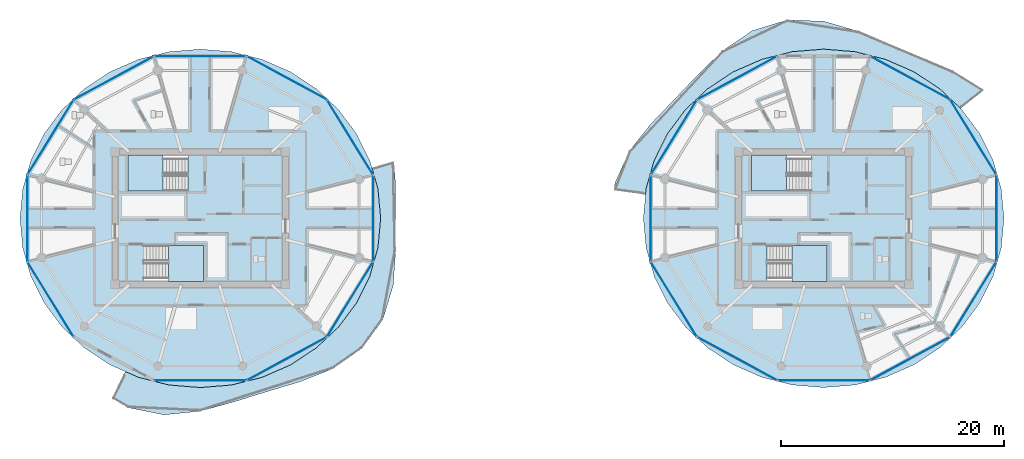
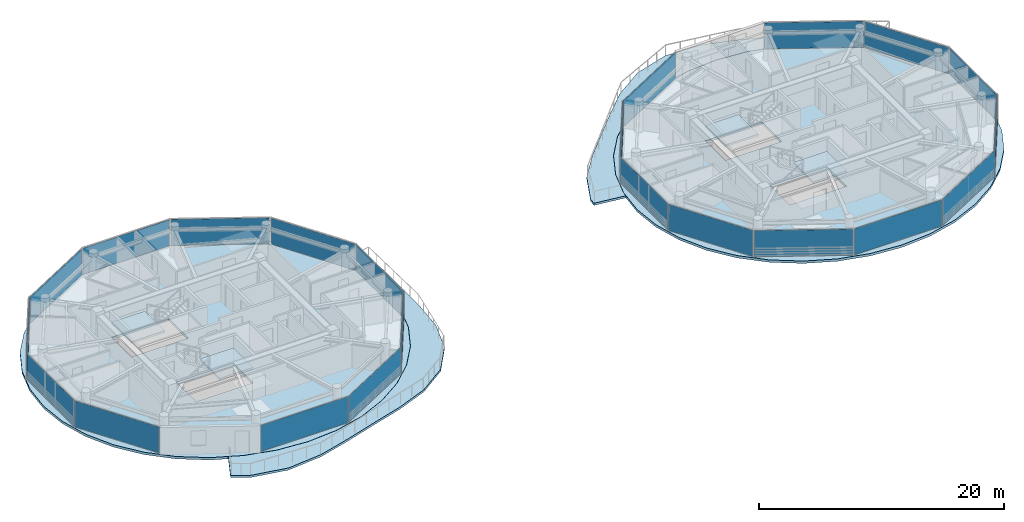
# One storey, part 8 of 21: 22 plates, 8 slabs, 26 elements without a shape of their own.
"""IFC4 building model written with IfcOpenShell, lengths in metres."""

from ifc_helpers import new_model, si_unit, direction, frame, origin, origin_2d, place, context, subcontext, project, spatial, polyline, rectangle, outline, extrude, source, transform, mapped, material, layer, layer_set, type_object, type_shapes, element, aggregate, save


model = new_model("IFC4")

# Units and contexts
model_context = context("Model", 3, precision=1e-05, world=origin(), true_north=direction((0.0, 1.0)))
body_context = subcontext(model_context, "Body", "Model", "MODEL_VIEW")
ifc_project = project(units=[si_unit("LENGTHUNIT", "METRE"), si_unit("AREAUNIT", "SQUARE_METRE"), si_unit("VOLUMEUNIT", "CUBIC_METRE"), si_unit("PLANEANGLEUNIT", "RADIAN"), si_unit("MASSUNIT", "GRAM", prefix="KILO")], contexts=[model_context])

# Site, building, storey
site_placement = place(None, origin())
site = spatial("IfcSite", under=ifc_project, at=site_placement, CompositionType="ELEMENT")
building_placement = place(site_placement, origin())
building = spatial("IfcBuilding", under=site, at=building_placement, Name="Norrkilde Senior Care Towers", CompositionType="ELEMENT")
storey_placement = place(building_placement, frame((0.0, 0.0, 241.35009765625)))
storey = spatial("IfcBuildingStorey", under=building, at=storey_placement, Name="L75", CompositionType="ELEMENT", Elevation=241.35009765625)

# Slabs
ifc_material_1 = material(Name="Concrete C50/60", Category="concrete")
ifc_layer_1 = layer(ifc_material_1, 0.215087890625)
ifc_layer_set_1 = layer_set([ifc_layer_1], Name="Concrete C50/60")
slab_type_1 = type_object("IfcSlabType", Name="Sinusoidal Balcony Ribbon Slab 215", PredefinedType="FLOOR", material=ifc_layer_set_1)
slab_1_placement = place(storey_placement, frame((0.0, 0.0, -0.215087890625)))
element("IfcSlab", 1, at=slab_1_placement, inside=storey, type_object=slab_type_1, Name="L75 Drum W Swirling Senior Balcony 1", PredefinedType="FLOOR", context=body_context, shape_type="SweptSolid", body=[
    extrude(outline(polyline([(-11.5888671875, -9.0654296875), (-13.463134765625, -11.67236328125), (-16.1083984375, -13.521728515625), (-19.072509765625, -14.69140625), (-22.019287109375, -15.572021484375), (-24.93701171875, -16.479736328125), (-28.0, -17.324951171875), (-31.2568359375, -17.6513671875), (-34.47412109375, -17.0166015625), (-35.90283203125, -16.1845703125), (-34.724365234375, -13.77099609375), (-33.54248046875, -14.2880859375), (-30.81396484375, -14.97412109375), (-28.0, -15.205078125), (-25.18603515625, -14.97412109375), (-22.45751953125, -14.2880859375), (-19.8974609375, -13.16796875), (-17.583740234375, -11.647705078125), (-15.586181640625, -9.773681640625), (-13.966064453125, -7.6025390625), (-12.772216796875, -5.200439453125), (-12.041259765625, -2.640380859375), (-11.794921875, 0.0), (-12.041259765625, 2.640380859375), (-12.573486328125, 4.50390625), (-10.6025390625, 5.079345703125), (-10.447265625, 2.93994140625), (-10.449951171875, 0.0), (-10.447265625, -2.93994140625), (-10.67041015625, -6.015869140625), (-11.5888671875, -9.0654296875)])), origin(), (0.0, 0.0, 1.0), 0.215087890625),
])
slab_2_placement = place(storey_placement, frame((0.0, 0.0, -0.215087890625)))
element("IfcSlab", 2, at=slab_2_placement, inside=storey, type_object=slab_type_1, Name="L75 Drum E Swirling Senior Balcony 1", PredefinedType="FLOOR", context=body_context, shape_type="SweptSolid", body=[
    extrude(outline(polyline([(10.548583984375, 6.06298828125), (12.490478515625, 8.510498046875), (14.574951171875, 10.67822265625), (16.6396484375, 12.84716796875), (18.887939453125, 15.031982421875), (21.58056640625, 16.856201171875), (24.715576171875, 17.818603515625), (28.0, 17.71240234375), (31.11669921875, 16.803955078125), (33.9921875, 15.605224609375), (36.79248046875, 14.44189453125), (39.64453125, 13.207763671875), (42.365234375, 11.51904296875), (42.369384765625, 11.51416015625), (40.31396484375, 9.8671875), (38.416259765625, 11.647705078125), (36.1025390625, 13.16796875), (33.54248046875, 14.2880859375), (30.81396484375, 14.97412109375), (28.0, 15.205078125), (25.18603515625, 14.97412109375), (22.45751953125, 14.2880859375), (19.8974609375, 13.16796875), (17.583740234375, 11.647705078125), (15.586181640625, 9.773681640625), (13.966064453125, 7.6025390625), (12.772216796875, 5.200439453125), (12.041259765625, 2.640380859375), (11.995361328125, 2.14794921875), (9.193603515625, 2.52392578125), (9.241943359375, 3.16650390625), (10.548583984375, 6.06298828125)])), origin(), (0.0, 0.0, 1.0), 0.215087890625),
])

# Stair, slab
ifc_material_2 = material(Name="Concrete C45/55", Category="concrete")
stair_type = type_object("IfcStairType", Name="Core Protected Dogleg Stair Typical 3050", PredefinedType="HALF_TURN_STAIR", material=ifc_material_2)
stair_1_placement = place(storey_placement, origin())
stair_1 = element("IfcStair", 3, at=stair_1_placement, inside=storey, type_object=stair_type, Name="L75 Protected Core Stair W1", PredefinedType="HALF_TURN_STAIR")
ifc_layer_2 = layer(ifc_material_2, 0.199951171875)
ifc_layer_set_2 = layer_set([ifc_layer_2], Name="Concrete C45/55")
slab_type_2 = type_object("IfcSlabType", Name="Stair Landing Slab 200", PredefinedType="LANDING", material=ifc_layer_set_2)
slab_3_placement = place(storey_placement, frame((0.0, 0.0, 1.324951171875)))
slab_3 = element("IfcSlab", 4, at=slab_3_placement, type_object=slab_type_2, Name="ST-W1 landing 1", PredefinedType="LANDING", context=body_context, shape_type="SweptSolid", body=[
    extrude(outline(polyline([(-31.340087890625, 5.68994140625), (-34.5, 5.68994140625), (-34.5, 2.449951171875), (-31.340087890625, 2.449951171875), (-31.340087890625, 5.68994140625)])), origin(), (0.0, 0.0, 1.0), 0.199951171875),
])
aggregate(stair_1, [slab_3])

stair_2_placement = place(storey_placement, origin())
stair_2 = element("IfcStair", 5, at=stair_2_placement, inside=storey, type_object=stair_type, Name="L75 Protected Core Stair W2", PredefinedType="HALF_TURN_STAIR")
slab_4_placement = place(storey_placement, frame((0.0, 0.0, 1.324951171875)))
slab_4 = element("IfcSlab", 6, at=slab_4_placement, type_object=slab_type_2, Name="ST-W2 landing 1", PredefinedType="LANDING", context=body_context, shape_type="SweptSolid", body=[
    extrude(outline(polyline([(-30.860107421875, -5.68994140625), (-27.699951171875, -5.68994140625), (-27.699951171875, -2.449951171875), (-30.860107421875, -2.449951171875), (-30.860107421875, -5.68994140625)])), origin(), (0.0, 0.0, 1.0), 0.199951171875),
])
aggregate(stair_2, [slab_4])

stair_3_placement = place(storey_placement, origin())
stair_3 = element("IfcStair", 7, at=stair_3_placement, inside=storey, type_object=stair_type, Name="L75 Protected Core Stair E1", PredefinedType="HALF_TURN_STAIR")
slab_5_placement = place(storey_placement, frame((0.0, 0.0, 1.324951171875)))
slab_5 = element("IfcSlab", 8, at=slab_5_placement, type_object=slab_type_2, Name="ST-E1 landing 1", PredefinedType="LANDING", context=body_context, shape_type="SweptSolid", body=[
    extrude(outline(polyline([(24.659912109375, 5.68994140625), (21.5, 5.68994140625), (21.5, 2.449951171875), (24.659912109375, 2.449951171875), (24.659912109375, 5.68994140625)])), origin(), (0.0, 0.0, 1.0), 0.199951171875),
])
aggregate(stair_3, [slab_5])

stair_4_placement = place(storey_placement, origin())
stair_4 = element("IfcStair", 9, at=stair_4_placement, inside=storey, type_object=stair_type, Name="L75 Protected Core Stair E2", PredefinedType="HALF_TURN_STAIR")
slab_6_placement = place(storey_placement, frame((0.0, 0.0, 1.324951171875)))
slab_6 = element("IfcSlab", 10, at=slab_6_placement, type_object=slab_type_2, Name="ST-E2 landing 1", PredefinedType="LANDING", context=body_context, shape_type="SweptSolid", body=[
    extrude(outline(polyline([(25.139892578125, -5.68994140625), (28.300048828125, -5.68994140625), (28.300048828125, -2.449951171875), (25.139892578125, -2.449951171875), (25.139892578125, -5.68994140625)])), origin(), (0.0, 0.0, 1.0), 0.199951171875),
])
aggregate(stair_4, [slab_6])

# Slabs
ifc_layer_3 = layer(ifc_material_1, 0.239990234375)
ifc_layer_set_3 = layer_set([ifc_layer_3], Name="Concrete C50/60")
slab_type_3 = type_object("IfcSlabType", Name="Tower Residence Floor Slab 240", PredefinedType="FLOOR", material=ifc_layer_set_3)
slab_7_placement = place(storey_placement, frame((0.0, 0.0, -0.239990234375)))
element("IfcSlab", 11, at=slab_7_placement, inside=storey, type_object=slab_type_3, Name="L75 Drum W Structural Floor Slab", PredefinedType="FLOOR", context=body_context, shape_type="SweptSolid", body=[
    extrude(outline(polyline([(-12.777099609375, -5.19873046875), (-13.970458984375, -7.60009765625), (-15.590087890625, -9.770263671875), (-17.5869140625, -11.643798828125), (-19.89990234375, -13.16357421875), (-22.459228515625, -14.283447265625), (-25.18701171875, -14.968994140625), (-28.0, -15.199951171875), (-30.81298828125, -14.968994140625), (-33.540771484375, -14.283447265625), (-36.10009765625, -13.16357421875), (-38.4130859375, -11.643798828125), (-40.409912109375, -9.770263671875), (-42.029541015625, -7.60009765625), (-43.222900390625, -5.19873046875), (-43.953857421875, -2.639404296875), (-44.199951171875, 0.0), (-43.953857421875, 2.639404296875), (-43.222900390625, 5.19873046875), (-42.029541015625, 7.60009765625), (-40.409912109375, 9.770263671875), (-38.4130859375, 11.643798828125), (-36.10009765625, 13.16357421875), (-33.540771484375, 14.283447265625), (-30.81298828125, 14.968994140625), (-28.0, 15.199951171875), (-25.18701171875, 14.968994140625), (-22.459228515625, 14.283447265625), (-19.89990234375, 13.16357421875), (-17.5869140625, 11.643798828125), (-15.590087890625, 9.770263671875), (-13.970458984375, 7.60009765625), (-12.777099609375, 5.19873046875), (-12.046142578125, 2.639404296875), (-11.800048828125, 0.0), (-12.046142578125, -2.639404296875), (-12.777099609375, -5.19873046875)]), holes=[polyline([(-34.48193359375, 2.468017578125), (-29.117919921875, 2.468017578125), (-29.117919921875, 5.68994140625), (-34.48193359375, 5.68994140625), (-34.48193359375, 2.468017578125)]), polyline([(-27.718017578125, -5.68994140625), (-27.718017578125, -2.468017578125), (-33.08203125, -2.468017578125), (-33.08203125, -5.68994140625), (-27.718017578125, -5.68994140625)])]), origin(), (0.0, 0.0, 1.0), 0.239990234375),
])
slab_8_placement = place(storey_placement, frame((0.0, 0.0, -0.239990234375)))
element("IfcSlab", 12, at=slab_8_placement, inside=storey, type_object=slab_type_3, Name="L75 Drum E Structural Floor Slab", PredefinedType="FLOOR", context=body_context, shape_type="SweptSolid", body=[
    extrude(outline(polyline([(43.222900390625, -5.19873046875), (42.029541015625, -7.60009765625), (40.409912109375, -9.770263671875), (38.4130859375, -11.643798828125), (36.10009765625, -13.16357421875), (33.540771484375, -14.283447265625), (30.81298828125, -14.968994140625), (28.0, -15.199951171875), (25.18701171875, -14.968994140625), (22.459228515625, -14.283447265625), (19.89990234375, -13.16357421875), (17.5869140625, -11.643798828125), (15.590087890625, -9.770263671875), (13.970458984375, -7.60009765625), (12.777099609375, -5.19873046875), (12.046142578125, -2.639404296875), (11.800048828125, 0.0), (12.046142578125, 2.639404296875), (12.777099609375, 5.19873046875), (13.970458984375, 7.60009765625), (15.590087890625, 9.770263671875), (17.5869140625, 11.643798828125), (19.89990234375, 13.16357421875), (22.459228515625, 14.283447265625), (25.18701171875, 14.968994140625), (28.0, 15.199951171875), (30.81298828125, 14.968994140625), (33.540771484375, 14.283447265625), (36.10009765625, 13.16357421875), (38.4130859375, 11.643798828125), (40.409912109375, 9.770263671875), (42.029541015625, 7.60009765625), (43.222900390625, 5.19873046875), (43.953857421875, 2.639404296875), (44.199951171875, 0.0), (43.953857421875, -2.639404296875), (43.222900390625, -5.19873046875)]), holes=[polyline([(21.51806640625, 2.468017578125), (26.882080078125, 2.468017578125), (26.882080078125, 5.68994140625), (21.51806640625, 5.68994140625), (21.51806640625, 2.468017578125)]), polyline([(28.281982421875, -5.68994140625), (28.281982421875, -2.468017578125), (22.91796875, -2.468017578125), (22.91796875, -5.68994140625), (28.281982421875, -5.68994140625)])]), origin(), (0.0, 0.0, 1.0), 0.239990234375),
])

# Curtain wall, plate
ifc_material_3 = material(Name="Triple Low-E Insulated Glazing", Category="glass")
ifc_layer_4 = layer(ifc_material_3, 0.18505859375)
ifc_layer_set_4 = layer_set([ifc_layer_4], Name="Triple Low-E Insulated Glazing")
curtain_wall_type = type_object("IfcCurtainWallType", Name="CW6 Zone 4 Crown Pavilion Curtain Wall", PredefinedType="NOTDEFINED", material=ifc_layer_set_4)
curtain_wall_1_placement = place(storey_placement, origin())
curtain_wall_1 = element("IfcCurtainWall", 13, at=curtain_wall_1_placement, inside=storey, type_object=curtain_wall_type, Name="L75 Drum W Curtain Wall 00", PredefinedType="NOTDEFINED")
ifc_layer_5 = layer(ifc_material_3, 0.035888671875)
ifc_layer_set_5 = layer_set([ifc_layer_5], Name="Triple Low-E Insulated Glazing")
plate_type = type_object("IfcPlateType", Name="Triple Low-E Vision Curtain Panel 36", PredefinedType="CURTAIN_PANEL", material=ifc_layer_set_5)
shared_shape_1 = source(origin(), body_context, "Body", "SweptSolid", [
    extrude(rectangle(XDim=7.80859375, YDim=0.035888671875, at=origin_2d()), origin(), (0.0, 0.0, 1.0), 2.610107421875),
])
plate_1_placement = place(storey_placement, frame((-14.548828125, 7.282958984375, 0.06005859375), z_axis=(0.0, 0.0, 1.0), x_axis=(0.524252726748, -0.851562727283, 0.0)))
plate_1 = element("IfcPlate", 14, at=plate_1_placement, type_object=plate_type, Name="CW-6 panel 1.1", PredefinedType="CURTAIN_PANEL", context=body_context, shape_type="MappedRepresentation", body=[
    mapped(shared_shape_1, transform((0.0, 0.0, 0.0), x_axis=(1.0, 0.0, 0.0), y_axis=(0.0, 1.0, 0.0), z_axis=(0.0, 0.0, 1.0), scale=1.0)),
])
aggregate(curtain_wall_1, [plate_1])

curtain_wall_2_placement = place(storey_placement, origin())
curtain_wall_2 = element("IfcCurtainWall", 15, at=curtain_wall_2_placement, inside=storey, type_object=curtain_wall_type, Name="L75 Drum W Curtain Wall 04", PredefinedType="NOTDEFINED")
plate_2_placement = place(storey_placement, frame((-41.451171875, 7.282958984375, 0.06005859375), z_axis=(0.0, 0.0, 1.0), x_axis=(0.524252726748, 0.851562727283, 0.0)))
plate_2 = element("IfcPlate", 16, at=plate_2_placement, type_object=plate_type, Name="CW-6 panel 1.1", PredefinedType="CURTAIN_PANEL", context=body_context, shape_type="MappedRepresentation", body=[
    mapped(shared_shape_1, transform((0.0, 0.0, 0.0), x_axis=(1.0, 0.0, 0.0), y_axis=(0.0, 1.0, 0.0), z_axis=(0.0, 0.0, 1.0), scale=1.0)),
])
aggregate(curtain_wall_2, [plate_2])

curtain_wall_3_placement = place(storey_placement, origin())
curtain_wall_3 = element("IfcCurtainWall", 17, at=curtain_wall_3_placement, inside=storey, type_object=curtain_wall_type, Name="L75 Drum W Curtain Wall 06", PredefinedType="NOTDEFINED")
plate_3_placement = place(storey_placement, frame((-41.451171875, -7.282958984375, 0.06005859375), z_axis=(0.0, 0.0, 1.0), x_axis=(-0.524252726748, 0.851562727283, 0.0)))
plate_3 = element("IfcPlate", 18, at=plate_3_placement, type_object=plate_type, Name="CW-6 panel 1.1", PredefinedType="CURTAIN_PANEL", context=body_context, shape_type="MappedRepresentation", body=[
    mapped(shared_shape_1, transform((0.0, 0.0, 0.0), x_axis=(1.0, 0.0, 0.0), y_axis=(0.0, 1.0, 0.0), z_axis=(0.0, 0.0, 1.0), scale=1.0)),
])
aggregate(curtain_wall_3, [plate_3])

curtain_wall_4_placement = place(storey_placement, origin())
curtain_wall_4 = element("IfcCurtainWall", 19, at=curtain_wall_4_placement, inside=storey, type_object=curtain_wall_type, Name="L75 Drum W Curtain Wall 10", PredefinedType="NOTDEFINED")
plate_4_placement = place(storey_placement, frame((-14.548828125, -7.282958984375, 0.06005859375), z_axis=(0.0, 0.0, 1.0), x_axis=(-0.524252726748, -0.851562727283, 0.0)))
plate_4 = element("IfcPlate", 20, at=plate_4_placement, type_object=plate_type, Name="CW-6 panel 1.1", PredefinedType="CURTAIN_PANEL", context=body_context, shape_type="MappedRepresentation", body=[
    mapped(shared_shape_1, transform((0.0, 0.0, 0.0), x_axis=(1.0, 0.0, 0.0), y_axis=(0.0, 1.0, 0.0), z_axis=(0.0, 0.0, 1.0), scale=1.0)),
])
aggregate(curtain_wall_4, [plate_4])

curtain_wall_5_placement = place(storey_placement, origin())
curtain_wall_5 = element("IfcCurtainWall", 21, at=curtain_wall_5_placement, inside=storey, type_object=curtain_wall_type, Name="L75 Drum E Curtain Wall 00", PredefinedType="NOTDEFINED")
plate_5_placement = place(storey_placement, frame((41.451171875, 7.282958984375, 0.06005859375), z_axis=(0.0, 0.0, 1.0), x_axis=(0.524252726748, -0.851562727283, 0.0)))
plate_5 = element("IfcPlate", 22, at=plate_5_placement, type_object=plate_type, Name="CW-6 panel 1.1", PredefinedType="CURTAIN_PANEL", context=body_context, shape_type="MappedRepresentation", body=[
    mapped(shared_shape_1, transform((0.0, 0.0, 0.0), x_axis=(1.0, 0.0, 0.0), y_axis=(0.0, 1.0, 0.0), z_axis=(0.0, 0.0, 1.0), scale=1.0)),
])
aggregate(curtain_wall_5, [plate_5])

curtain_wall_6_placement = place(storey_placement, origin())
curtain_wall_6 = element("IfcCurtainWall", 23, at=curtain_wall_6_placement, inside=storey, type_object=curtain_wall_type, Name="L75 Drum E Curtain Wall 04", PredefinedType="NOTDEFINED")
plate_6_placement = place(storey_placement, frame((14.548828125, 7.282958984375, 0.06005859375), z_axis=(0.0, 0.0, 1.0), x_axis=(0.524252726748, 0.851562727283, 0.0)))
plate_6 = element("IfcPlate", 24, at=plate_6_placement, type_object=plate_type, Name="CW-6 panel 1.1", PredefinedType="CURTAIN_PANEL", context=body_context, shape_type="MappedRepresentation", body=[
    mapped(shared_shape_1, transform((0.0, 0.0, 0.0), x_axis=(1.0, 0.0, 0.0), y_axis=(0.0, 1.0, 0.0), z_axis=(0.0, 0.0, 1.0), scale=1.0)),
])
aggregate(curtain_wall_6, [plate_6])

curtain_wall_7_placement = place(storey_placement, origin())
curtain_wall_7 = element("IfcCurtainWall", 25, at=curtain_wall_7_placement, inside=storey, type_object=curtain_wall_type, Name="L75 Drum E Curtain Wall 06", PredefinedType="NOTDEFINED")
plate_7_placement = place(storey_placement, frame((14.548828125, -7.282958984375, 0.06005859375), z_axis=(0.0, 0.0, 1.0), x_axis=(-0.524252726748, 0.851562727283, 0.0)))
plate_7 = element("IfcPlate", 26, at=plate_7_placement, type_object=plate_type, Name="CW-6 panel 1.1", PredefinedType="CURTAIN_PANEL", context=body_context, shape_type="MappedRepresentation", body=[
    mapped(shared_shape_1, transform((0.0, 0.0, 0.0), x_axis=(1.0, 0.0, 0.0), y_axis=(0.0, 1.0, 0.0), z_axis=(0.0, 0.0, 1.0), scale=1.0)),
])
aggregate(curtain_wall_7, [plate_7])

curtain_wall_8_placement = place(storey_placement, origin())
curtain_wall_8 = element("IfcCurtainWall", 27, at=curtain_wall_8_placement, inside=storey, type_object=curtain_wall_type, Name="L75 Drum E Curtain Wall 10", PredefinedType="NOTDEFINED")
plate_8_placement = place(storey_placement, frame((41.451171875, -7.282958984375, 0.06005859375), z_axis=(0.0, 0.0, 1.0), x_axis=(-0.524252726748, -0.851562727283, 0.0)))
plate_8 = element("IfcPlate", 28, at=plate_8_placement, type_object=plate_type, Name="CW-6 panel 1.1", PredefinedType="CURTAIN_PANEL", context=body_context, shape_type="MappedRepresentation", body=[
    mapped(shared_shape_1, transform((0.0, 0.0, 0.0), x_axis=(1.0, 0.0, 0.0), y_axis=(0.0, 1.0, 0.0), z_axis=(0.0, 0.0, 1.0), scale=1.0)),
])
aggregate(curtain_wall_8, [plate_8])

curtain_wall_9_placement = place(storey_placement, origin())
curtain_wall_9 = element("IfcCurtainWall", 29, at=curtain_wall_9_placement, inside=storey, type_object=curtain_wall_type, Name="L75 Drum W Curtain Wall 01", PredefinedType="NOTDEFINED")
shared_shape_2 = source(origin(), body_context, "Body", "SweptSolid", [
    extrude(rectangle(XDim=8.0673828125, YDim=0.035888671875, at=origin_2d()), origin(), (0.0, 0.0, 1.0), 2.610107421875),
])
plate_9_placement = place(storey_placement, frame((-20.23388671875, 12.61474609375, 0.06005859375), z_axis=(0.0, 0.0, 1.0), x_axis=(0.879373455772, -0.476132676136, 0.0)))
plate_9 = element("IfcPlate", 30, at=plate_9_placement, type_object=plate_type, Name="CW-6 panel 1.1", PredefinedType="CURTAIN_PANEL", context=body_context, shape_type="MappedRepresentation", body=[
    mapped(shared_shape_2, transform((0.0, 0.0, 0.0), x_axis=(1.0, 0.0, 0.0), y_axis=(0.0, 1.0, 0.0), z_axis=(0.0, 0.0, 1.0), scale=1.0)),
])
aggregate(curtain_wall_9, [plate_9])

curtain_wall_10_placement = place(storey_placement, origin())
curtain_wall_10 = element("IfcCurtainWall", 31, at=curtain_wall_10_placement, inside=storey, type_object=curtain_wall_type, Name="L75 Drum W Curtain Wall 03", PredefinedType="NOTDEFINED")
plate_10_placement = place(storey_placement, frame((-35.76611328125, 12.61474609375, 0.06005859375), z_axis=(0.0, 0.0, 1.0), x_axis=(0.879373455772, 0.476132676136, 0.0)))
plate_10 = element("IfcPlate", 32, at=plate_10_placement, type_object=plate_type, Name="CW-6 panel 1.1", PredefinedType="CURTAIN_PANEL", context=body_context, shape_type="MappedRepresentation", body=[
    mapped(shared_shape_2, transform((0.0, 0.0, 0.0), x_axis=(1.0, 0.0, 0.0), y_axis=(0.0, 1.0, 0.0), z_axis=(0.0, 0.0, 1.0), scale=1.0)),
])
aggregate(curtain_wall_10, [plate_10])

curtain_wall_11_placement = place(storey_placement, origin())
curtain_wall_11 = element("IfcCurtainWall", 33, at=curtain_wall_11_placement, inside=storey, type_object=curtain_wall_type, Name="L75 Drum W Curtain Wall 09", PredefinedType="NOTDEFINED")
plate_11_placement = place(storey_placement, frame((-20.23388671875, -12.61474609375, 0.06005859375), z_axis=(0.0, 0.0, 1.0), x_axis=(-0.879373455772, -0.476132676136, 0.0)))
plate_11 = element("IfcPlate", 34, at=plate_11_placement, type_object=plate_type, Name="CW-6 panel 1.1", PredefinedType="CURTAIN_PANEL", context=body_context, shape_type="MappedRepresentation", body=[
    mapped(shared_shape_2, transform((0.0, 0.0, 0.0), x_axis=(1.0, 0.0, 0.0), y_axis=(0.0, 1.0, 0.0), z_axis=(0.0, 0.0, 1.0), scale=1.0)),
])
aggregate(curtain_wall_11, [plate_11])

curtain_wall_12_placement = place(storey_placement, origin())
curtain_wall_12 = element("IfcCurtainWall", 35, at=curtain_wall_12_placement, inside=storey, type_object=curtain_wall_type, Name="L75 Drum E Curtain Wall 01", PredefinedType="NOTDEFINED")
plate_12_placement = place(storey_placement, frame((35.76611328125, 12.61474609375, 0.06005859375), z_axis=(0.0, 0.0, 1.0), x_axis=(0.879373455772, -0.476132676136, 0.0)))
plate_12 = element("IfcPlate", 36, at=plate_12_placement, type_object=plate_type, Name="CW-6 panel 1.1", PredefinedType="CURTAIN_PANEL", context=body_context, shape_type="MappedRepresentation", body=[
    mapped(shared_shape_2, transform((0.0, 0.0, 0.0), x_axis=(1.0, 0.0, 0.0), y_axis=(0.0, 1.0, 0.0), z_axis=(0.0, 0.0, 1.0), scale=1.0)),
])
aggregate(curtain_wall_12, [plate_12])

curtain_wall_13_placement = place(storey_placement, origin())
curtain_wall_13 = element("IfcCurtainWall", 37, at=curtain_wall_13_placement, inside=storey, type_object=curtain_wall_type, Name="L75 Drum E Curtain Wall 03", PredefinedType="NOTDEFINED")
plate_13_placement = place(storey_placement, frame((20.23388671875, 12.61474609375, 0.06005859375), z_axis=(0.0, 0.0, 1.0), x_axis=(0.879373455772, 0.476132676136, 0.0)))
plate_13 = element("IfcPlate", 38, at=plate_13_placement, type_object=plate_type, Name="CW-6 panel 1.1", PredefinedType="CURTAIN_PANEL", context=body_context, shape_type="MappedRepresentation", body=[
    mapped(shared_shape_2, transform((0.0, 0.0, 0.0), x_axis=(1.0, 0.0, 0.0), y_axis=(0.0, 1.0, 0.0), z_axis=(0.0, 0.0, 1.0), scale=1.0)),
])
aggregate(curtain_wall_13, [plate_13])

curtain_wall_14_placement = place(storey_placement, origin())
curtain_wall_14 = element("IfcCurtainWall", 39, at=curtain_wall_14_placement, inside=storey, type_object=curtain_wall_type, Name="L75 Drum E Curtain Wall 07", PredefinedType="NOTDEFINED")
plate_14_placement = place(storey_placement, frame((20.23388671875, -12.61474609375, 0.06005859375), z_axis=(0.0, 0.0, 1.0), x_axis=(-0.879373455772, 0.476132676136, 0.0)))
plate_14 = element("IfcPlate", 40, at=plate_14_placement, type_object=plate_type, Name="CW-6 panel 1.1", PredefinedType="CURTAIN_PANEL", context=body_context, shape_type="MappedRepresentation", body=[
    mapped(shared_shape_2, transform((0.0, 0.0, 0.0), x_axis=(1.0, 0.0, 0.0), y_axis=(0.0, 1.0, 0.0), z_axis=(0.0, 0.0, 1.0), scale=1.0)),
])
aggregate(curtain_wall_14, [plate_14])

curtain_wall_15_placement = place(storey_placement, origin())
curtain_wall_15 = element("IfcCurtainWall", 41, at=curtain_wall_15_placement, inside=storey, type_object=curtain_wall_type, Name="L75 Drum E Curtain Wall 09", PredefinedType="NOTDEFINED")
plate_15_placement = place(storey_placement, frame((35.76611328125, -12.61474609375, 0.06005859375), z_axis=(0.0, 0.0, 1.0), x_axis=(-0.879373455772, -0.476132676136, 0.0)))
plate_15 = element("IfcPlate", 42, at=plate_15_placement, type_object=plate_type, Name="CW-6 panel 1.1", PredefinedType="CURTAIN_PANEL", context=body_context, shape_type="MappedRepresentation", body=[
    mapped(shared_shape_2, transform((0.0, 0.0, 0.0), x_axis=(1.0, 0.0, 0.0), y_axis=(0.0, 1.0, 0.0), z_axis=(0.0, 0.0, 1.0), scale=1.0)),
])
aggregate(curtain_wall_15, [plate_15])

curtain_wall_16_placement = place(storey_placement, origin())
curtain_wall_16 = element("IfcCurtainWall", 43, at=curtain_wall_16_placement, inside=storey, type_object=curtain_wall_type, Name="L75 Drum W Curtain Wall 02", PredefinedType="NOTDEFINED")
shared_shape_3 = source(origin(), body_context, "Body", "SweptSolid", [
    extrude(rectangle(XDim=8.193603515625, YDim=0.035888671875, at=origin_2d()), origin(), (0.0, 0.0, 1.0), 2.610107421875),
])
plate_16_placement = place(storey_placement, frame((-28.0, 14.566162109375, 0.06005859375), z_axis=(0.0, 0.0, 1.0), x_axis=(1.0, 0.0, 0.0)))
plate_16 = element("IfcPlate", 44, at=plate_16_placement, type_object=plate_type, Name="CW-6 panel 1.1", PredefinedType="CURTAIN_PANEL", context=body_context, shape_type="MappedRepresentation", body=[
    mapped(shared_shape_3, transform((0.0, 0.0, 0.0), x_axis=(1.0, 0.0, 0.0), y_axis=(0.0, 1.0, 0.0), z_axis=(0.0, 0.0, 1.0), scale=1.0)),
])
aggregate(curtain_wall_16, [plate_16])

curtain_wall_17_placement = place(storey_placement, origin())
curtain_wall_17 = element("IfcCurtainWall", 45, at=curtain_wall_17_placement, inside=storey, type_object=curtain_wall_type, Name="L75 Drum W Curtain Wall 08", PredefinedType="NOTDEFINED")
plate_17_placement = place(storey_placement, frame((-28.0, -14.566162109375, 0.06005859375), z_axis=(0.0, 0.0, 1.0), x_axis=(-1.0, 0.0, 0.0)))
plate_17 = element("IfcPlate", 46, at=plate_17_placement, type_object=plate_type, Name="CW-6 panel 1.1", PredefinedType="CURTAIN_PANEL", context=body_context, shape_type="MappedRepresentation", body=[
    mapped(shared_shape_3, transform((0.0, 0.0, 0.0), x_axis=(1.0, 0.0, 0.0), y_axis=(0.0, 1.0, 0.0), z_axis=(0.0, 0.0, 1.0), scale=1.0)),
])
aggregate(curtain_wall_17, [plate_17])

curtain_wall_18_placement = place(storey_placement, origin())
curtain_wall_18 = element("IfcCurtainWall", 47, at=curtain_wall_18_placement, inside=storey, type_object=curtain_wall_type, Name="L75 Drum E Curtain Wall 08", PredefinedType="NOTDEFINED")
plate_18_placement = place(storey_placement, frame((28.0, -14.566162109375, 0.06005859375), z_axis=(0.0, 0.0, 1.0), x_axis=(-1.0, 0.0, 0.0)))
plate_18 = element("IfcPlate", 48, at=plate_18_placement, type_object=plate_type, Name="CW-6 panel 1.1", PredefinedType="CURTAIN_PANEL", context=body_context, shape_type="MappedRepresentation", body=[
    mapped(shared_shape_3, transform((0.0, 0.0, 0.0), x_axis=(1.0, 0.0, 0.0), y_axis=(0.0, 1.0, 0.0), z_axis=(0.0, 0.0, 1.0), scale=1.0)),
])
aggregate(curtain_wall_18, [plate_18])

curtain_wall_19_placement = place(storey_placement, origin())
curtain_wall_19 = element("IfcCurtainWall", 49, at=curtain_wall_19_placement, inside=storey, type_object=curtain_wall_type, Name="L75 Drum W Curtain Wall 05", PredefinedType="NOTDEFINED")
shared_shape_4 = source(origin(), body_context, "Body", "SweptSolid", [
    extrude(rectangle(XDim=7.676025390625, YDim=0.035888671875, at=origin_2d()), origin(), (0.0, 0.0, 1.0), 2.610107421875),
])
type_shapes(plate_type, [shared_shape_1, shared_shape_2, shared_shape_3, shared_shape_4])
plate_19_placement = place(storey_placement, frame((-43.531982421875, 0.0, 0.06005859375), z_axis=(0.0, 0.0, 1.0), x_axis=(0.0, 1.0, 0.0)))
plate_19 = element("IfcPlate", 50, at=plate_19_placement, type_object=plate_type, Name="CW-6 panel 1.1", PredefinedType="CURTAIN_PANEL", context=body_context, shape_type="MappedRepresentation", body=[
    mapped(shared_shape_4, transform((0.0, 0.0, 0.0), x_axis=(1.0, 0.0, 0.0), y_axis=(0.0, 1.0, 0.0), z_axis=(0.0, 0.0, 1.0), scale=1.0)),
])
aggregate(curtain_wall_19, [plate_19])

curtain_wall_20_placement = place(storey_placement, origin())
curtain_wall_20 = element("IfcCurtainWall", 51, at=curtain_wall_20_placement, inside=storey, type_object=curtain_wall_type, Name="L75 Drum W Curtain Wall 11", PredefinedType="NOTDEFINED")
plate_20_placement = place(storey_placement, frame((-12.468017578125, 0.0, 0.06005859375), z_axis=(0.0, 0.0, 1.0), x_axis=(0.0, -1.0, 0.0)))
plate_20 = element("IfcPlate", 52, at=plate_20_placement, type_object=plate_type, Name="CW-6 panel 1.1", PredefinedType="CURTAIN_PANEL", context=body_context, shape_type="MappedRepresentation", body=[
    mapped(shared_shape_4, transform((0.0, 0.0, 0.0), x_axis=(1.0, 0.0, 0.0), y_axis=(0.0, 1.0, 0.0), z_axis=(0.0, 0.0, 1.0), scale=1.0)),
])
aggregate(curtain_wall_20, [plate_20])

curtain_wall_21_placement = place(storey_placement, origin())
curtain_wall_21 = element("IfcCurtainWall", 53, at=curtain_wall_21_placement, inside=storey, type_object=curtain_wall_type, Name="L75 Drum E Curtain Wall 05", PredefinedType="NOTDEFINED")
plate_21_placement = place(storey_placement, frame((12.468017578125, 0.0, 0.06005859375), z_axis=(0.0, 0.0, 1.0), x_axis=(0.0, 1.0, 0.0)))
plate_21 = element("IfcPlate", 54, at=plate_21_placement, type_object=plate_type, Name="CW-6 panel 1.1", PredefinedType="CURTAIN_PANEL", context=body_context, shape_type="MappedRepresentation", body=[
    mapped(shared_shape_4, transform((0.0, 0.0, 0.0), x_axis=(1.0, 0.0, 0.0), y_axis=(0.0, 1.0, 0.0), z_axis=(0.0, 0.0, 1.0), scale=1.0)),
])
aggregate(curtain_wall_21, [plate_21])

curtain_wall_22_placement = place(storey_placement, origin())
curtain_wall_22 = element("IfcCurtainWall", 55, at=curtain_wall_22_placement, inside=storey, type_object=curtain_wall_type, Name="L75 Drum E Curtain Wall 11", PredefinedType="NOTDEFINED")
plate_22_placement = place(storey_placement, frame((43.531982421875, 0.0, 0.06005859375), z_axis=(0.0, 0.0, 1.0), x_axis=(0.0, -1.0, 0.0)))
plate_22 = element("IfcPlate", 56, at=plate_22_placement, type_object=plate_type, Name="CW-6 panel 1.1", PredefinedType="CURTAIN_PANEL", context=body_context, shape_type="MappedRepresentation", body=[
    mapped(shared_shape_4, transform((0.0, 0.0, 0.0), x_axis=(1.0, 0.0, 0.0), y_axis=(0.0, 1.0, 0.0), z_axis=(0.0, 0.0, 1.0), scale=1.0)),
])
aggregate(curtain_wall_22, [plate_22])

save(model, "model.ifc")
